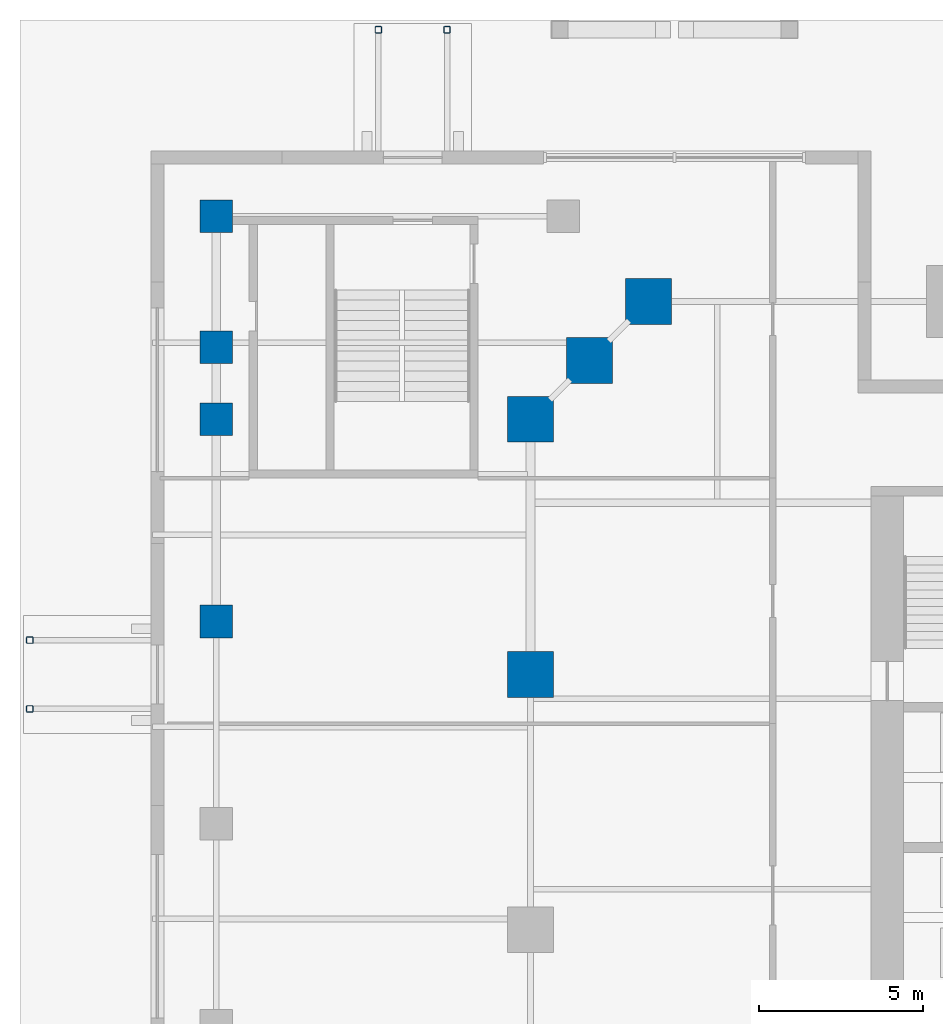
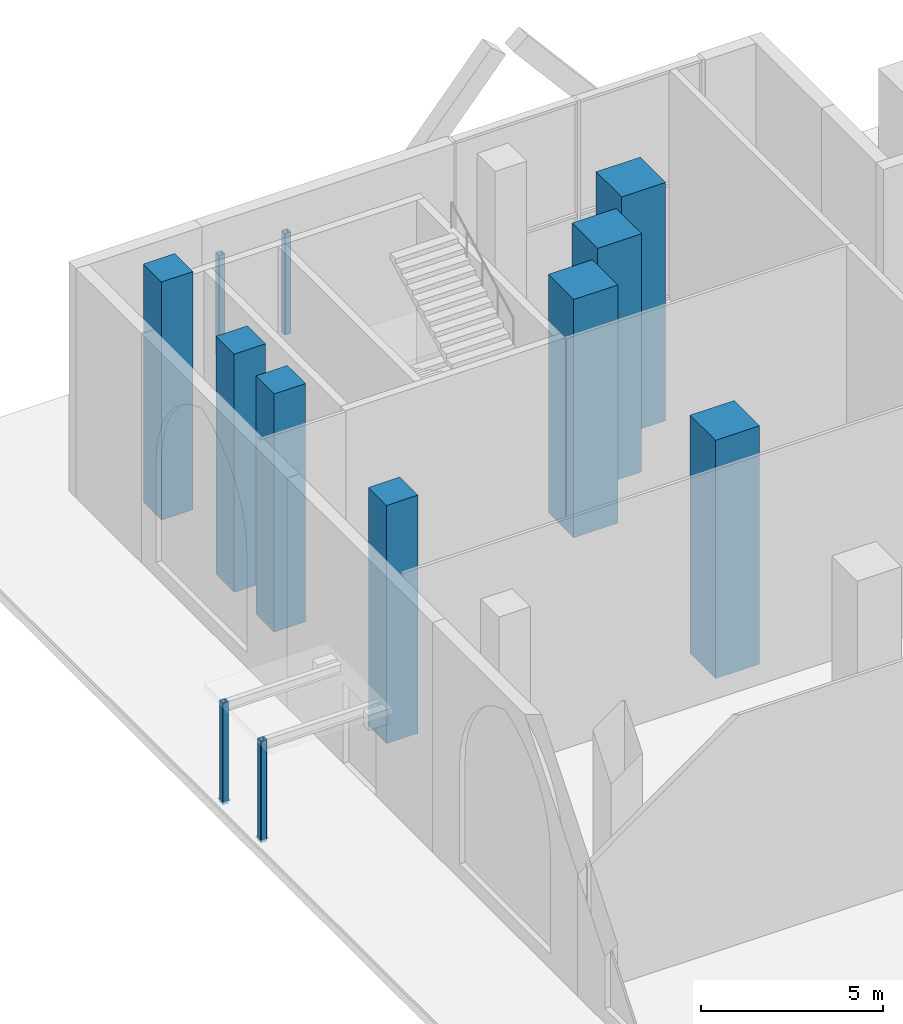
# One storey, part 9 of 38: 12 columns.
"""IFC4 building model written with IfcOpenShell, lengths in metres."""

from ifc_helpers import new_model, si_unit, direction, frame, origin, origin_2d, place, context, subcontext, project, spatial, rectangle, hollow_rectangle, extrude, material, material_profile, profile_set, type_object, element, save


model = new_model("IFC4")

# Units and contexts
model_context = context("Model", 3, precision=1e-05, world=origin(), true_north=direction((0.0, 1.0)))
body_context = subcontext(model_context, "Body", "Model", "MODEL_VIEW")
ifc_project = project(units=[si_unit("LENGTHUNIT", "METRE"), si_unit("AREAUNIT", "SQUARE_METRE"), si_unit("VOLUMEUNIT", "CUBIC_METRE"), si_unit("PLANEANGLEUNIT", "RADIAN"), si_unit("MASSUNIT", "GRAM", prefix="KILO")], contexts=[model_context])

# Site, building, storey
site_placement = place(None, origin())
site = spatial("IfcSite", under=ifc_project, at=site_placement, CompositionType="ELEMENT")
building_placement = place(site_placement, origin())
building = spatial("IfcBuilding", under=site, at=building_placement, Name="Ogive Exchange Tower", CompositionType="ELEMENT")
storey_placement = place(building_placement, origin())
storey = spatial("IfcBuildingStorey", under=building, at=storey_placement, Name="L00", CompositionType="ELEMENT", Elevation=0.0)

# Columns
ifc_material_1 = material(Name="Steel ASTM A1085 Gr A", Category="steel")
ifc_material_profile_1 = material_profile(ifc_material_1, hollow_rectangle(XDim=0.202880859375, YDim=0.202880859375, WallThickness=0.0126953125, InnerFilletRadius=0.0126953125, OuterFilletRadius=0.025390625, at=origin_2d()), Name="HSS203.2x203.2x12.7")
ifc_profile_set_1 = profile_set([ifc_material_profile_1], Name="Steel ASTM A1085 Gr A")
column_type_1 = type_object("IfcColumnType", Name="Canopy post HSS203.2x203.2x12.7", PredefinedType="COLUMN", material=ifc_profile_set_1)
for number, where, z_axis, x_axis, name in (
    (1, (-34.949951171875, 39.699951171875, -0.10009765625), (0.0, 0.0, 1.0), (-1.0, 0.0, 0.0), "Canopy post"),
    (2, (-37.050048828125, 39.699951171875, -0.10009765625), (0.0, 0.0, 1.0), (-1.0, 0.0, 0.0), "Canopy post"),
    (3, (-47.699951171875, 21.050048828125, -0.10009765625), (0.0, 0.0, 1.0), (0.0, -1.0, 0.0), "Canopy post"),
    (4, (-47.699951171875, 18.949951171875, -0.10009765625), (0.0, 0.0, 1.0), (0.0, -1.0, 0.0), "Canopy post"),
):
    element("IfcColumn", number, at=place(storey_placement, frame(where, z_axis=z_axis, x_axis=x_axis)), inside=storey, type_object=column_type_1, Name=name, PredefinedType="COLUMN", context=body_context, shape_type="SweptSolid", body=[
        extrude(hollow_rectangle(XDim=0.202880859375, YDim=0.202880859375, WallThickness=0.0126953125, InnerFilletRadius=0.0126953125, OuterFilletRadius=0.025390625, at=origin_2d()), origin(), (0.0, 0.0, 1.0), 3.400146484375),
    ])
ifc_material_2 = material(Name="Concrete C70/85", Category="concrete")
ifc_material_profile_2 = material_profile(ifc_material_2, rectangle(XDim=1.0, YDim=1.0, at=origin_2d()), Name="RC 1000x1000")
ifc_profile_set_2 = profile_set([ifc_material_profile_2], Name="Concrete C70/85")
column_type_2 = type_object("IfcColumnType", Name="RC column 1000x1000", PredefinedType="COLUMN", material=ifc_profile_set_2)
for number, where, z_axis, x_axis, name in (
    (5, (-42.0, 21.6201171875, 0.0), (0.0, 0.0, 1.0), (1.0, 0.0, 0.0), "Podium column"),
    (6, (-42.0, 27.800048828125, 0.0), (0.0, 0.0, 1.0), (1.0, 0.0, 0.0), "Podium column"),
    (7, (-42.0, 30.0, 0.0), (0.0, 0.0, 1.0), (1.0, 0.0, 0.0), "Podium column"),
    (8, (-42.0, 34.0, 0.0), (0.0, 0.0, 1.0), (1.0, 0.0, 0.0), "Podium column"),
):
    element("IfcColumn", number, at=place(storey_placement, frame(where, z_axis=z_axis, x_axis=x_axis)), inside=storey, type_object=column_type_2, Name=name, PredefinedType="COLUMN", context=body_context, shape_type="SweptSolid", body=[
        extrude(rectangle(XDim=1.0, YDim=1.0, at=origin_2d()), origin(), (0.0, 0.0, 1.0), 8.0),
    ])
ifc_material_profile_3 = material_profile(ifc_material_2, rectangle(XDim=1.39990234375, YDim=1.39990234375, at=origin_2d()), Name="RC 1400x1400")
ifc_profile_set_3 = profile_set([ifc_material_profile_3], Name="Concrete C70/85")
column_type_3 = type_object("IfcColumnType", Name="RC column 1400x1400", PredefinedType="COLUMN", material=ifc_profile_set_3)
for number, where, z_axis, x_axis, name in (
    (9, (-32.39990234375, 20.0, 0.0), (0.0, 0.0, 1.0), (1.0, 0.0, 0.0), "Leg column"),
    (10, (-32.39990234375, 27.800048828125, 0.0), (0.0, 0.0, 1.0), (1.0, 0.0, 0.0), "Leg column"),
    (11, (-30.60009765625, 29.60009765625, 0.0), (0.0, 0.0, 1.0), (1.0, 0.0, 0.0), "Leg column"),
    (12, (-28.800048828125, 31.39990234375, 0.0), (0.0, 0.0, 1.0), (1.0, 0.0, 0.0), "Leg column"),
):
    element("IfcColumn", number, at=place(storey_placement, frame(where, z_axis=z_axis, x_axis=x_axis)), inside=storey, type_object=column_type_3, Name=name, PredefinedType="COLUMN", context=body_context, shape_type="SweptSolid", body=[
        extrude(rectangle(XDim=1.39990234375, YDim=1.39990234375, at=origin_2d()), origin(), (0.0, 0.0, 1.0), 8.0),
    ])

save(model, "model.ifc")
